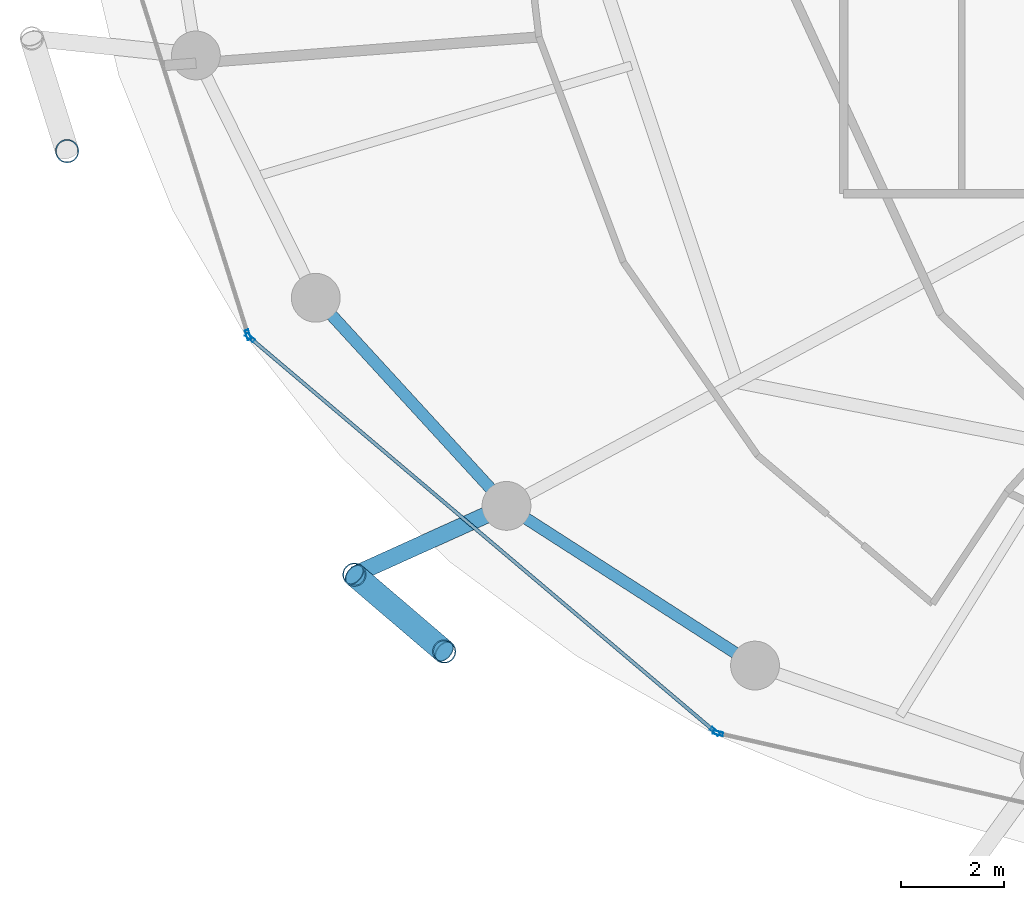
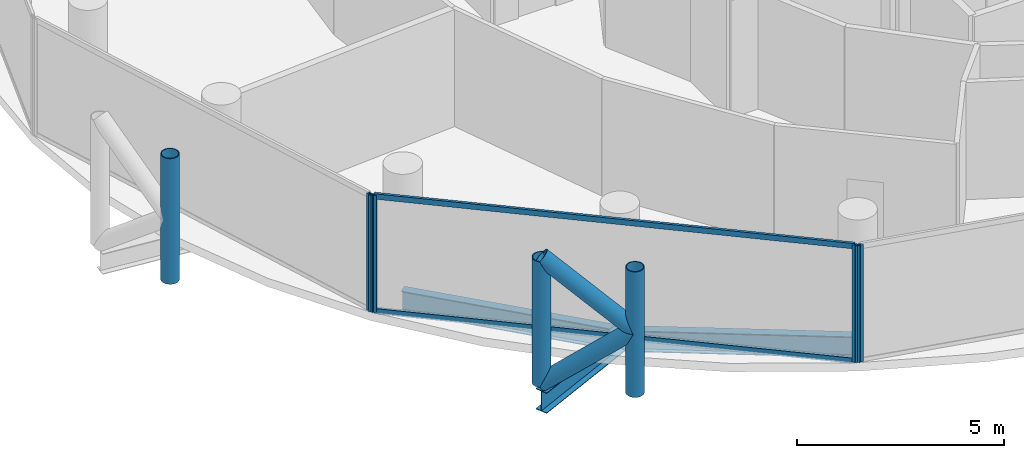
# One storey, part 2 of 26: 11 members, 3 beams, 3 elements without a shape of their own.
"""IFC4 building model written with IfcOpenShell, lengths in metres."""

from ifc_helpers import new_model, si_unit, direction, frame, origin, origin_2d, place, context, subcontext, project, spatial, hollow_rectangle, hollow_circle, i_section, extrude, material, layer, layer_set, material_profile, profile_set, type_object, element, aggregate, save


model = new_model("IFC4")

# Units and contexts
model_context = context("Model", 3, precision=1e-05, world=origin(), true_north=direction((0.0, 1.0)))
body_context = subcontext(model_context, "Body", "Model", "MODEL_VIEW")
ifc_project = project(units=[si_unit("LENGTHUNIT", "METRE"), si_unit("AREAUNIT", "SQUARE_METRE"), si_unit("VOLUMEUNIT", "CUBIC_METRE"), si_unit("PLANEANGLEUNIT", "RADIAN"), si_unit("MASSUNIT", "GRAM", prefix="KILO")], contexts=[model_context])

# Site, building, storey
site_placement = place(None, origin())
site = spatial("IfcSite", under=ifc_project, at=site_placement, CompositionType="ELEMENT")
building_placement = place(site_placement, origin())
building = spatial("IfcBuilding", under=site, at=building_placement, Name="Nuhasar Tower", CompositionType="ELEMENT")
storey_placement = place(building_placement, frame((0.0, 0.0, 140.449951171875)))
storey = spatial("IfcBuildingStorey", under=building, at=storey_placement, Name="L33", CompositionType="ELEMENT", Elevation=140.449951171875)

# Beams
ifc_material_1 = material(Name="Steel S355", Category="steel")
ifc_material_profile_1 = material_profile(ifc_material_1, i_section(OverallWidth=0.22998046875, OverallDepth=0.616943359375, WebThickness=0.01318359375, FlangeThickness=0.022216796875, at=origin_2d()), Name="W24X94")
ifc_profile_set_1 = profile_set([ifc_material_profile_1], Name="Steel S355")
beam_type_1 = type_object("IfcBeamType", Name="BM-RING-W24X94", PredefinedType="SPANDREL", material=ifc_profile_set_1)
beam_1_placement = place(storey_placement, frame((18.778076171875, 17.02490234375, -0.558837890625), z_axis=(0.675676316545, -0.737198423262, 0.0), x_axis=(0.737198423262, 0.675676316545, 0.0)))
element("IfcBeam", 1, at=beam_1_placement, inside=storey, type_object=beam_type_1, Name="L33 Perimeter Ring Spandrel 15", PredefinedType="SPANDREL", context=body_context, shape_type="SweptSolid", body=[
    extrude(i_section(OverallWidth=0.22998046875, OverallDepth=0.616943359375, WebThickness=0.01318359375, FlangeThickness=0.022216796875, at=origin_2d()), origin(), (0.0, 0.0, 1.0), 5.4921875),
])
beam_2_placement = place(storey_placement, frame((22.489013671875, 12.97607421875, -0.558837890625), z_axis=(0.841308170616, -0.540555789955, 0.0), x_axis=(0.540555789955, 0.841308170616, 0.0)))
element("IfcBeam", 2, at=beam_2_placement, inside=storey, type_object=beam_type_1, Name="L33 Perimeter Ring Spandrel 16", PredefinedType="SPANDREL", context=body_context, shape_type="SweptSolid", body=[
    extrude(i_section(OverallWidth=0.22998046875, OverallDepth=0.616943359375, WebThickness=0.01318359375, FlangeThickness=0.022216796875, at=origin_2d()), origin(), (0.0, 0.0, 1.0), 5.748046875),
])
ifc_material_profile_2 = material_profile(ifc_material_1, i_section(OverallWidth=0.323974609375, OverallDepth=0.611083984375, WebThickness=0.0126953125, FlangeThickness=0.01904296875, at=origin_2d()), Name="W24X104")
ifc_profile_set_2 = profile_set([ifc_material_profile_2], Name="Steel S355")
beam_type_2 = type_object("IfcBeamType", Name="BM-TIE-W24X104", PredefinedType="BEAM", material=ifc_profile_set_2)
beam_3_placement = place(storey_placement, frame((22.489013671875, 12.97607421875, -0.555908203125), z_axis=(-0.911211381786, -0.411939094653, 0.0), x_axis=(0.411939094653, -0.911211381786, 0.0)))
element("IfcBeam", 3, at=beam_3_placement, inside=storey, type_object=beam_type_2, Name="L33 Exoskeleton Node Tie Beam 08", PredefinedType="BEAM", context=body_context, shape_type="SweptSolid", body=[
    extrude(i_section(OverallWidth=0.323974609375, OverallDepth=0.611083984375, WebThickness=0.0126953125, FlangeThickness=0.01904296875, at=origin_2d()), origin(), (0.0, 0.0, 1.0), 3.248291015625),
])

# Curtain wall, member
ifc_material_2 = material(Name="Aluminium 6063-T6", Category="aluminium")
ifc_layer = layer(ifc_material_2, 0.199951171875)
ifc_layer_set = layer_set([ifc_layer], Name="Aluminium 6063-T6")
curtain_wall_type = type_object("IfcCurtainWallType", Name="CW-Z2-HTL", PredefinedType="NOTDEFINED", material=ifc_layer_set)
curtain_wall_1_placement = place(storey_placement, origin())
curtain_wall_1 = element("IfcCurtainWall", 4, at=curtain_wall_1_placement, inside=storey, type_object=curtain_wall_type, Name="L33 Unitised Curtain Wall 07", PredefinedType="NOTDEFINED")
ifc_material_profile_3 = material_profile(ifc_material_2, hollow_rectangle(XDim=0.070068359375, YDim=0.199951171875, WallThickness=0.0048828125, at=origin_2d()), Name="CWM-3")
ifc_profile_set_3 = profile_set([ifc_material_profile_3], Name="Aluminium 6063-T6")
member_type_1 = type_object("IfcMemberType", Name="CW-MUL-S3", PredefinedType="MULLION", material=ifc_profile_set_3)
member_1_placement = place(storey_placement, frame((17.46044921875, 16.303466796875, 0.0), z_axis=(0.0, 0.0, 1.0), x_axis=(0.953433389233, 0.301603667577, 0.0)))
member_1 = element("IfcMember", 5, at=member_1_placement, type_object=member_type_1, Name="CW-Z2 mullion 2", PredefinedType="MULLION", context=body_context, shape_type="SweptSolid", body=[
    extrude(hollow_rectangle(XDim=0.070068359375, YDim=0.199951171875, WallThickness=0.0048828125, at=origin_2d()), origin(), (0.0, 0.0, 1.0), 3.449951171875),
])
aggregate(curtain_wall_1, [member_1])

# Curtain wall, members
curtain_wall_2_placement = place(storey_placement, origin())
curtain_wall_2 = element("IfcCurtainWall", 6, at=curtain_wall_2_placement, inside=storey, type_object=curtain_wall_type, Name="L33 Unitised Curtain Wall 08", PredefinedType="NOTDEFINED")
member_2_placement = place(storey_placement, frame((17.497802734375, 16.247314453125, 0.0), z_axis=(0.0, 0.0, 1.0), x_axis=(0.646374438324, 0.763020370292, 0.0)))
member_2 = element("IfcMember", 7, at=member_2_placement, type_object=member_type_1, Name="CW-Z2 mullion 1", PredefinedType="MULLION", context=body_context, shape_type="SweptSolid", body=[
    extrude(hollow_rectangle(XDim=0.070068359375, YDim=0.199951171875, WallThickness=0.0048828125, at=origin_2d()), origin(), (0.0, 0.0, 1.0), 3.449951171875),
])
member_3_placement = place(storey_placement, frame((26.543212890625, 8.584716796875, 0.0), z_axis=(0.0, 0.0, 1.0), x_axis=(0.646374438324, 0.763020370292, 0.0)))
member_3 = element("IfcMember", 8, at=member_3_placement, type_object=member_type_1, Name="CW-Z2 mullion 2", PredefinedType="MULLION", context=body_context, shape_type="SweptSolid", body=[
    extrude(hollow_rectangle(XDim=0.070068359375, YDim=0.199951171875, WallThickness=0.0048828125, at=origin_2d()), origin(), (0.0, 0.0, 1.0), 3.449951171875),
])

# Curtain wall, member
curtain_wall_3_placement = place(storey_placement, origin())
curtain_wall_3 = element("IfcCurtainWall", 9, at=curtain_wall_3_placement, inside=storey, type_object=curtain_wall_type, Name="L33 Unitised Curtain Wall 09", PredefinedType="NOTDEFINED")
member_4_placement = place(storey_placement, frame((26.604248046875, 8.55419921875, 0.0), z_axis=(0.0, 0.0, 1.0), x_axis=(0.22139729566, 0.975183694221, 0.0)))
member_4 = element("IfcMember", 10, at=member_4_placement, type_object=member_type_1, Name="CW-Z2 mullion 1", PredefinedType="MULLION", context=body_context, shape_type="SweptSolid", body=[
    extrude(hollow_rectangle(XDim=0.070068359375, YDim=0.199951171875, WallThickness=0.0048828125, at=origin_2d()), origin(), (0.0, 0.0, 1.0), 3.449951171875),
])
aggregate(curtain_wall_3, [member_4])

# Member
ifc_material_profile_4 = material_profile(ifc_material_2, hollow_rectangle(XDim=0.070068359375, YDim=0.159912109375, WallThickness=0.00439453125, at=origin_2d()), Name="CWT-3")
ifc_profile_set_4 = profile_set([ifc_material_profile_4], Name="Aluminium 6063-T6")
member_type_2 = type_object("IfcMemberType", Name="CW-TRN-S3", PredefinedType="USERDEFINED", material=ifc_profile_set_4)
member_5_placement = place(storey_placement, frame((17.5244140625, 16.224853515625, 0.03515625), z_axis=(0.763013698099, -0.646382314511, 0.0), x_axis=(0.646382314511, 0.763013698099, 0.0)))
member_5 = element("IfcMember", 11, at=member_5_placement, type_object=member_type_2, Name="CW-Z2 transom 1.1", ObjectType="TRANSOM", PredefinedType="USERDEFINED", context=body_context, shape_type="SweptSolid", body=[
    extrude(hollow_rectangle(XDim=0.070068359375, YDim=0.159912109375, WallThickness=0.00439453125, at=origin_2d()), origin(), (0.0, 0.0, 1.0), 11.78515625),
])

member_6_placement = place(storey_placement, frame((17.5244140625, 16.224853515625, 3.4150390625), z_axis=(0.763013698099, -0.646382314511, 0.0), x_axis=(0.646382314511, 0.763013698099, 0.0)))
member_6 = element("IfcMember", 12, at=member_6_placement, type_object=member_type_2, Name="CW-Z2 transom 1.2", ObjectType="TRANSOM", PredefinedType="USERDEFINED", context=body_context, shape_type="SweptSolid", body=[
    extrude(hollow_rectangle(XDim=0.070068359375, YDim=0.159912109375, WallThickness=0.00439453125, at=origin_2d()), origin(), (0.0, 0.0, 1.0), 11.78515625),
])

aggregate(curtain_wall_2, [member_2, member_3, member_5, member_6])

# Members
ifc_material_3 = material(Name="Steel S460", Category="steel")
ifc_material_profile_5 = material_profile(ifc_material_3, hollow_circle(Radius=0.228515625, WallThickness=0.022216796875, at=origin_2d()), Name="HSS457X22.2")
ifc_profile_set_5 = profile_set([ifc_material_profile_5], Name="Steel S460")
member_type_3 = type_object("IfcMemberType", Name="EXO-BRONZE-457", PredefinedType="BRACE", material=ifc_profile_set_5)
for number, where, z_axis, x_axis, name in (
    (13, (13.93994140625, 19.87890625, 0.0), (0.0, 0.0, 1.0), (1.0, 0.0, 0.0), "L33 Exoskeleton Chord Column EC-07B"),
    (14, (19.529052734375, 11.637939453125, 0.0), (0.0, 0.0, 1.0), (1.0, 0.0, 0.0), "L33 Exoskeleton Chord Column EC-08A"),
    (15, (21.277099609375, 10.14306640625, 0.0), (0.0, 0.0, 1.0), (1.0, 0.0, 0.0), "L33 Exoskeleton Chord Column EC-08B"),
):
    element("IfcMember", number, at=place(storey_placement, frame(where, z_axis=z_axis, x_axis=x_axis)), inside=storey, type_object=member_type_3, Name=name, PredefinedType="BRACE", context=body_context, shape_type="SweptSolid", body=[
        extrude(hollow_circle(Radius=0.228515625, WallThickness=0.022216796875, at=origin_2d()), origin(), (0.0, 0.0, 1.0), 3.699951171875),
    ])
member_7_placement = place(storey_placement, frame((19.529052734375, 11.637939453125, 0.0), z_axis=(0.592195175458, -0.506426125604, 0.626767463634), x_axis=(0.649925557156, 0.7599978751, 0.0)))
element("IfcMember", 16, at=member_7_placement, inside=storey, type_object=member_type_3, Name="L33 Bronze Diagrid Brace W1-08", PredefinedType="BRACE", context=body_context, shape_type="SweptSolid", body=[
    extrude(hollow_circle(Radius=0.228515625, WallThickness=0.022216796875, at=origin_2d()), origin(), (0.0, 0.0, 1.0), 2.951904296875),
])
member_8_placement = place(storey_placement, frame((21.277099609375, 10.14306640625, 1.85009765625), z_axis=(-0.592225874743, 0.506452378638, 0.626717242029), x_axis=(-0.649925557156, -0.7599978751, 0.0)))
element("IfcMember", 17, at=member_8_placement, inside=storey, type_object=member_type_3, Name="L33 Bronze Diagrid Brace W2-08", PredefinedType="BRACE", context=body_context, shape_type="SweptSolid", body=[
    extrude(hollow_circle(Radius=0.228515625, WallThickness=0.022216796875, at=origin_2d()), origin(), (0.0, 0.0, 1.0), 2.95166015625),
])

save(model, "model.ifc")
